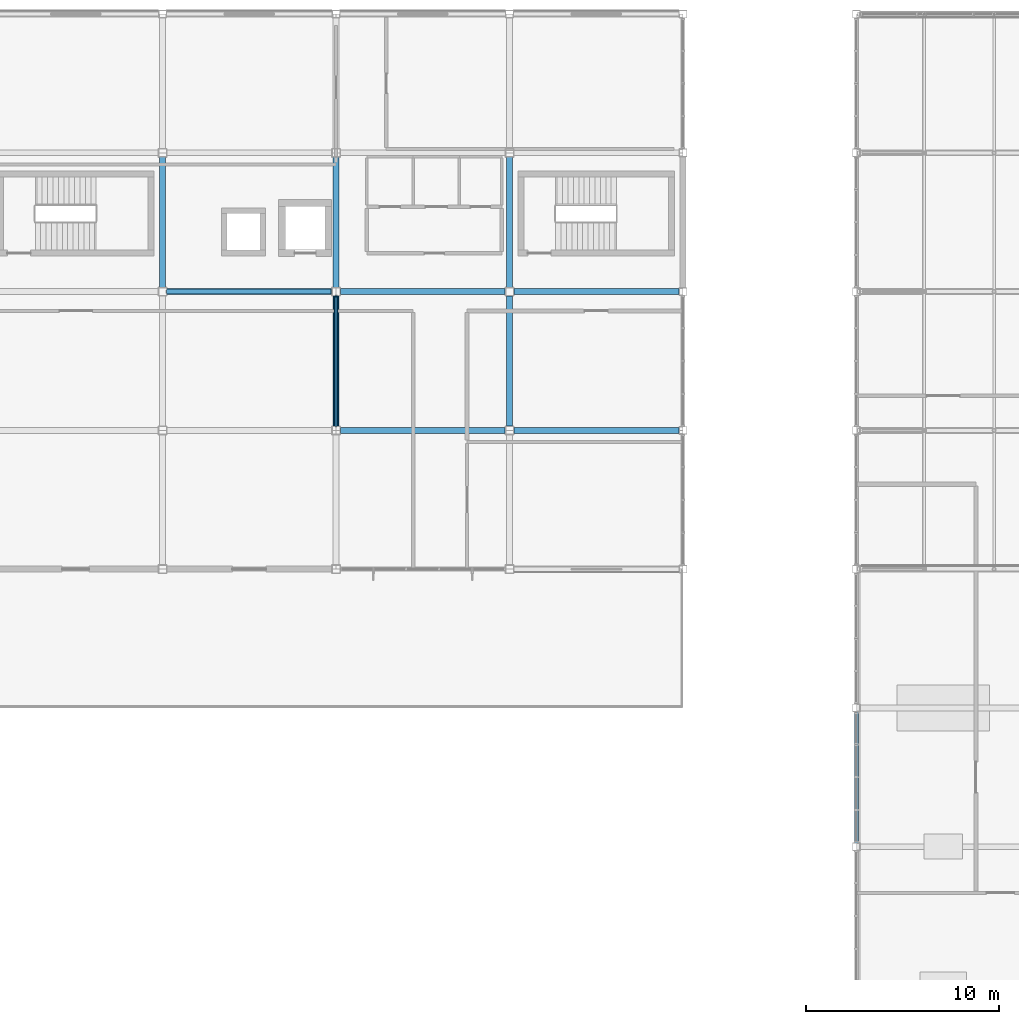
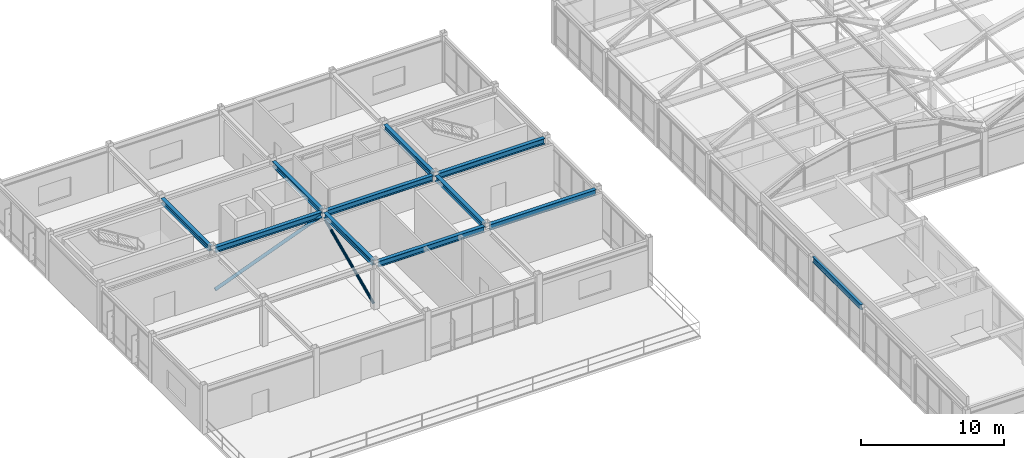
# One storey, part 16 of 106: 11 beams, 2 members.
"""IFC4 building model written with IfcOpenShell, lengths in metres."""

from ifc_helpers import new_model, si_unit, direction, frame, origin, origin_2d, place, context, subcontext, project, spatial, hollow_circle, i_section, extrude, material, material_profile, profile_set, type_object, element, save


model = new_model("IFC4")

# Units and contexts
model_context = context("Model", 3, precision=1e-05, world=origin(), true_north=direction((0.0, 1.0)))
body_context = subcontext(model_context, "Body", "Model", "MODEL_VIEW")
ifc_project = project(units=[si_unit("LENGTHUNIT", "METRE"), si_unit("AREAUNIT", "SQUARE_METRE"), si_unit("VOLUMEUNIT", "CUBIC_METRE"), si_unit("PLANEANGLEUNIT", "RADIAN"), si_unit("MASSUNIT", "GRAM", prefix="KILO")], contexts=[model_context])

# Site, building, storey
site_placement = place(None, origin())
site = spatial("IfcSite", under=ifc_project, at=site_placement, CompositionType="ELEMENT")
building_placement = place(site_placement, origin())
building = spatial("IfcBuilding", under=site, at=building_placement, Name="Kazanami Central Library", CompositionType="ELEMENT")
storey_placement = place(building_placement, frame((0.0, 0.0, 12.800048828125)))
storey = spatial("IfcBuildingStorey", under=building, at=storey_placement, Name="L04", CompositionType="ELEMENT", Elevation=12.800048828125)

# Beams
ifc_material_1 = material(Name="Steel SN490B (325 MPa)", Category="steel")
ifc_material_profile_1 = material_profile(ifc_material_1, i_section(OverallWidth=0.300048828125, OverallDepth=0.488037109375, WebThickness=0.010986328125, FlangeThickness=0.01806640625, at=origin_2d()), Name="H-488x300x11x18")
ifc_profile_set_1 = profile_set([ifc_material_profile_1], Name="Steel SN490B (325 MPa)")
beam_type_1 = type_object("IfcBeamType", Name="BM-G-X5", PredefinedType="BEAM", material=ifc_profile_set_1)
beam_1_placement = place(storey_placement, frame((18.222900390625, 72.0, 3.696044921875), z_axis=(1.0, 0.0, 0.0), x_axis=(0.0, 1.0, 0.0)))
element("IfcBeam", 1, at=beam_1_placement, inside=storey, type_object=beam_type_1, Name="Girder G-X5 L04 L/3-4", PredefinedType="BEAM", context=body_context, shape_type="SweptSolid", body=[
    extrude(i_section(OverallWidth=0.300048828125, OverallDepth=0.488037109375, WebThickness=0.010986328125, FlangeThickness=0.01806640625, at=origin_2d()), origin(), (0.0, 0.0, 1.0), 8.55419921875),
])
beam_2_placement = place(storey_placement, frame((27.222900390625, 72.0, 3.696044921875), z_axis=(1.0, 0.0, 0.0), x_axis=(0.0, 1.0, 0.0)))
element("IfcBeam", 2, at=beam_2_placement, inside=storey, type_object=beam_type_1, Name="Girder G-X5 L04 L/4-5", PredefinedType="BEAM", context=body_context, shape_type="SweptSolid", body=[
    extrude(i_section(OverallWidth=0.300048828125, OverallDepth=0.488037109375, WebThickness=0.010986328125, FlangeThickness=0.01806640625, at=origin_2d()), origin(), (0.0, 0.0, 1.0), 8.5791015625),
])
for number, where, z_axis, x_axis, name in (
    (3, (9.222900390625, 79.199951171875, 3.696044921875), (1.0, 0.0, 0.0), (0.0, 1.0, 0.0), "Girder G-X5 L04 M/2-3"),
    (4, (18.222900390625, 79.199951171875, 3.696044921875), (1.0, 0.0, 0.0), (0.0, 1.0, 0.0), "Girder G-X5 L04 M/3-4"),
):
    element("IfcBeam", number, at=place(storey_placement, frame(where, z_axis=z_axis, x_axis=x_axis)), inside=storey, type_object=beam_type_1, Name=name, PredefinedType="BEAM", context=body_context, shape_type="SweptSolid", body=[
        extrude(i_section(OverallWidth=0.300048828125, OverallDepth=0.488037109375, WebThickness=0.010986328125, FlangeThickness=0.01806640625, at=origin_2d()), origin(), (0.0, 0.0, 1.0), 8.55419921875),
    ])
beam_3_placement = place(storey_placement, frame((27.222900390625, 79.199951171875, 3.696044921875), z_axis=(1.0, 0.0, 0.0), x_axis=(0.0, 1.0, 0.0)))
element("IfcBeam", 5, at=beam_3_placement, inside=storey, type_object=beam_type_1, Name="Girder G-X5 L04 M/4-5", PredefinedType="BEAM", context=body_context, shape_type="SweptSolid", body=[
    extrude(i_section(OverallWidth=0.300048828125, OverallDepth=0.488037109375, WebThickness=0.010986328125, FlangeThickness=0.01806640625, at=origin_2d()), origin(), (0.0, 0.0, 1.0), 8.5791015625),
])
ifc_material_profile_2 = material_profile(ifc_material_1, i_section(OverallWidth=0.300048828125, OverallDepth=0.43994140625, WebThickness=0.010986328125, FlangeThickness=0.01806640625, at=origin_2d()), Name="H-440x300x11x18")
ifc_profile_set_2 = profile_set([ifc_material_profile_2], Name="Steel SN490B (325 MPa)")
beam_type_2 = type_object("IfcBeamType", Name="BM-G-Y4", PredefinedType="BEAM", material=ifc_profile_set_2)
beam_4_placement = place(storey_placement, frame((9.0, 79.423095703125, 3.719970703125), z_axis=(0.0, 1.0, 0.0), x_axis=(-1.0, 0.0, 0.0)))
element("IfcBeam", 6, at=beam_4_placement, inside=storey, type_object=beam_type_2, Name="Girder G-Y4 L04 2/M-N", PredefinedType="BEAM", context=body_context, shape_type="SweptSolid", body=[
    extrude(i_section(OverallWidth=0.300048828125, OverallDepth=0.43994140625, WebThickness=0.010986328125, FlangeThickness=0.01806640625, at=origin_2d()), origin(), (0.0, 0.0, 1.0), 6.75390625),
])
beam_5_placement = place(storey_placement, frame((18.0, 72.222900390625, 3.719970703125), z_axis=(0.0, 1.0, 0.0), x_axis=(-1.0, 0.0, 0.0)))
element("IfcBeam", 7, at=beam_5_placement, inside=storey, type_object=beam_type_2, Name="Girder G-Y4 L04 3/L-M", PredefinedType="BEAM", context=body_context, shape_type="SweptSolid", body=[
    extrude(i_section(OverallWidth=0.300048828125, OverallDepth=0.43994140625, WebThickness=0.010986328125, FlangeThickness=0.01806640625, at=origin_2d()), origin(), (0.0, 0.0, 1.0), 6.754150390625),
])
beam_6_placement = place(storey_placement, frame((18.0, 79.423095703125, 3.719970703125), z_axis=(0.0, 1.0, 0.0), x_axis=(-1.0, 0.0, 0.0)))
element("IfcBeam", 8, at=beam_6_placement, inside=storey, type_object=beam_type_2, Name="Girder G-Y4 L04 3/M-N", PredefinedType="BEAM", context=body_context, shape_type="SweptSolid", body=[
    extrude(i_section(OverallWidth=0.300048828125, OverallDepth=0.43994140625, WebThickness=0.010986328125, FlangeThickness=0.01806640625, at=origin_2d()), origin(), (0.0, 0.0, 1.0), 6.75390625),
])
beam_7_placement = place(storey_placement, frame((27.0, 72.222900390625, 3.719970703125), z_axis=(0.0, 1.0, 0.0), x_axis=(-1.0, 0.0, 0.0)))
element("IfcBeam", 9, at=beam_7_placement, inside=storey, type_object=beam_type_2, Name="Girder G-Y4 L04 4/L-M", PredefinedType="BEAM", context=body_context, shape_type="SweptSolid", body=[
    extrude(i_section(OverallWidth=0.300048828125, OverallDepth=0.43994140625, WebThickness=0.010986328125, FlangeThickness=0.01806640625, at=origin_2d()), origin(), (0.0, 0.0, 1.0), 6.754150390625),
])
beam_8_placement = place(storey_placement, frame((27.0, 79.423095703125, 3.719970703125), z_axis=(0.0, 1.0, 0.0), x_axis=(-1.0, 0.0, 0.0)))
element("IfcBeam", 10, at=beam_8_placement, inside=storey, type_object=beam_type_2, Name="Girder G-Y4 L04 4/M-N", PredefinedType="BEAM", context=body_context, shape_type="SweptSolid", body=[
    extrude(i_section(OverallWidth=0.300048828125, OverallDepth=0.43994140625, WebThickness=0.010986328125, FlangeThickness=0.01806640625, at=origin_2d()), origin(), (0.0, 0.0, 1.0), 6.75390625),
])
ifc_material_profile_3 = material_profile(ifc_material_1, i_section(OverallWidth=0.199951171875, OverallDepth=0.449951171875, WebThickness=0.009033203125, FlangeThickness=0.013916015625, at=origin_2d()), Name="H-450x200x9x14")
ifc_profile_set_3 = profile_set([ifc_material_profile_3], Name="Steel SN490B (325 MPa)")
beam_type_3 = type_object("IfcBeamType", Name="BM-SP-2", PredefinedType="SPANDREL", material=ifc_profile_set_3)
beam_9_placement = place(storey_placement, frame((45.0, 50.597900390625, 3.554931640625), z_axis=(0.0, 1.0, 0.0), x_axis=(-1.0, 0.0, 0.0)))
element("IfcBeam", 11, at=beam_9_placement, inside=storey, type_object=beam_type_3, Name="Girder SP-2 L04 6/H-J", PredefinedType="SPANDREL", context=body_context, shape_type="SweptSolid", body=[
    extrude(i_section(OverallWidth=0.199951171875, OverallDepth=0.449951171875, WebThickness=0.009033203125, FlangeThickness=0.013916015625, at=origin_2d()), origin(), (0.0, 0.0, 1.0), 6.80419921875),
])

# Members
ifc_material_2 = material(Name="Steel STK490 (315 MPa)", Category="steel")
ifc_material_profile_4 = material_profile(ifc_material_2, hollow_circle(Radius=0.1337890625, WallThickness=0.00927734375, at=origin_2d()), Name="CHS-267.4x9.3")
ifc_profile_set_4 = profile_set([ifc_material_profile_4], Name="Steel STK490 (315 MPa)")
member_type_1 = type_object("IfcMemberType", Name="MEM-BR-03", PredefinedType="BRACE", material=ifc_profile_set_4)
member_1_placement = place(storey_placement, frame((9.22509765625, 79.199951171875, 0.25), z_axis=(0.933285149534, 0.0, 0.35913622716), x_axis=(0.0, 1.0, 0.0)))
element("IfcMember", 12, at=member_1_placement, inside=storey, type_object=member_type_1, Name="Concentric Steel Brace BR-03 L04 BF-V4A", PredefinedType="BRACE", context=body_context, shape_type="SweptSolid", body=[
    extrude(hollow_circle(Radius=0.1337890625, WallThickness=0.00927734375, at=origin_2d()), origin(), (0.0, 0.0, 1.0), 9.160888671875),
])
ifc_material_profile_5 = material_profile(ifc_material_2, hollow_circle(Radius=0.108154296875, WallThickness=0.00830078125, at=origin_2d()), Name="CHS-216.3x8.2")
ifc_profile_set_5 = profile_set([ifc_material_profile_5], Name="Steel STK490 (315 MPa)")
member_type_2 = type_object("IfcMemberType", Name="MEM-BR-04", PredefinedType="BRACE", material=ifc_profile_set_5)
member_2_placement = place(storey_placement, frame((18.0, 72.22509765625, 0.25), z_axis=(0.0, 0.913308195779, 0.407269124196), x_axis=(-1.0, 0.0, 0.0)))
element("IfcMember", 13, at=member_2_placement, inside=storey, type_object=member_type_2, Name="Concentric Steel Brace BR-04 L04 BF-V4B", PredefinedType="BRACE", context=body_context, shape_type="SweptSolid", body=[
    extrude(hollow_circle(Radius=0.108154296875, WallThickness=0.00830078125, at=origin_2d()), origin(), (0.0, 0.0, 1.0), 7.390625),
])

save(model, "model.ifc")
